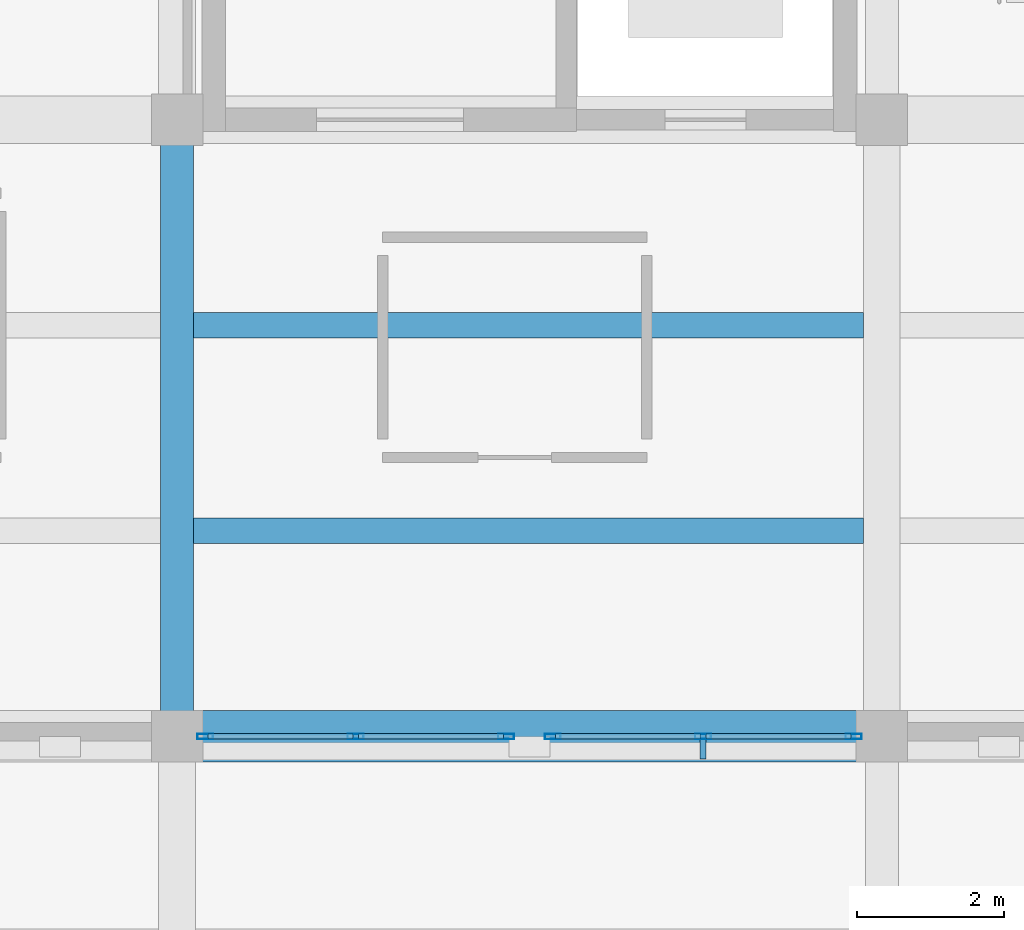
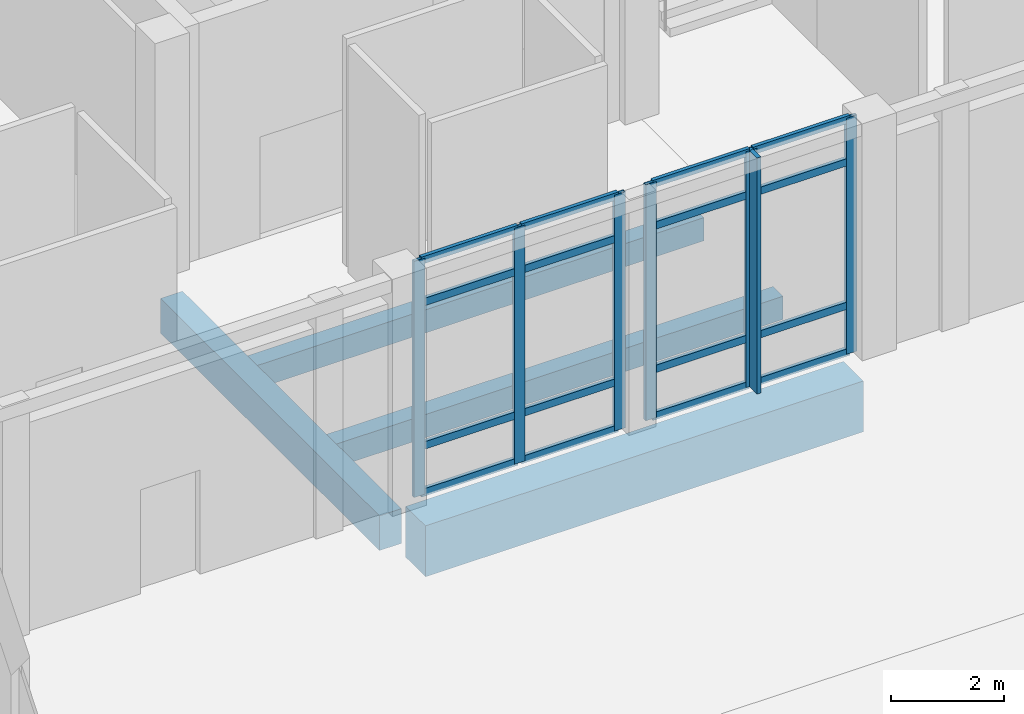
# One storey, part 16 of 71: 23 members, 4 beams, 2 elements without a shape of their own.
"""IFC4 building model written with IfcOpenShell, lengths in metres."""

from ifc_helpers import new_model, si_unit, direction, frame, origin, origin_2d, place, context, subcontext, project, spatial, rectangle, hollow_rectangle, extrude, material, layer, layer_set, material_profile, profile_set, type_object, element, aggregate, save


model = new_model("IFC4")

# Units and contexts
model_context = context("Model", 3, precision=1e-05, world=origin(), true_north=direction((0.0, 1.0)))
body_context = subcontext(model_context, "Body", "Model", "MODEL_VIEW")
ifc_project = project(units=[si_unit("LENGTHUNIT", "METRE"), si_unit("AREAUNIT", "SQUARE_METRE"), si_unit("VOLUMEUNIT", "CUBIC_METRE"), si_unit("PLANEANGLEUNIT", "RADIAN"), si_unit("MASSUNIT", "GRAM", prefix="KILO")], contexts=[model_context])

# Site, building, storey
site_placement = place(None, origin())
site = spatial("IfcSite", under=ifc_project, at=site_placement, CompositionType="ELEMENT")
building_placement = place(site_placement, origin())
building = spatial("IfcBuilding", under=site, at=building_placement, Name="Lornevale Opera House", CompositionType="ELEMENT")
storey_placement = place(building_placement, origin())
storey = spatial("IfcBuildingStorey", under=building, at=storey_placement, Name="L01", CompositionType="ELEMENT", Elevation=0.0)

# Beams
ifc_material_1 = material(Name="Concrete 35 MPa (CSA A23.1 N)", Category="concrete")
ifc_material_profile_1 = material_profile(ifc_material_1, rectangle(XDim=0.449951171875, YDim=0.75, at=origin_2d()), Name="RC450x750")
ifc_profile_set_1 = profile_set([ifc_material_profile_1], Name="Concrete 35 MPa (CSA A23.1 N)")
beam_type_1 = type_object("IfcBeamType", Name="Concrete Floor Beam 450x750", PredefinedType="USERDEFINED", material=ifc_profile_set_1)
beam_1_placement = place(storey_placement, frame((48.0, 17.125, -0.81494140625), z_axis=(0.0, 1.0, 0.0), x_axis=(-1.0, 0.0, 0.0)))
element("IfcBeam", 1, at=beam_1_placement, inside=storey, type_object=beam_type_1, Name="Concrete Floor Beam 450x750 1133", ObjectType="GIRDER", PredefinedType="USERDEFINED", context=body_context, shape_type="SweptSolid", body=[
    extrude(rectangle(XDim=0.449951171875, YDim=0.75, at=origin_2d()), origin(), (0.0, 0.0, 1.0), 7.75),
])
ifc_material_2 = material(Name="Concrete 40 MPa (CSA A23.1 C-1)", Category="concrete")
ifc_material_profile_2 = material_profile(ifc_material_2, rectangle(XDim=0.699951171875, YDim=1.10009765625, at=origin_2d()), Name="RC700x1100")
ifc_profile_set_2 = profile_set([ifc_material_profile_2], Name="Concrete 40 MPa (CSA A23.1 C-1)")
beam_type_2 = type_object("IfcBeamType", Name="Concrete Primary Girder 700x1100", PredefinedType="USERDEFINED", material=ifc_profile_set_2)
beam_2_placement = place(storey_placement, frame((48.324951171875, 16.800048828125, -0.989990234375), z_axis=(1.0, 0.0, 0.0), x_axis=(0.0, 1.0, 0.0)))
element("IfcBeam", 2, at=beam_2_placement, inside=storey, type_object=beam_type_2, Name="Concrete Primary Girder 700x1100 0877", ObjectType="GIRDER", PredefinedType="USERDEFINED", context=body_context, shape_type="SweptSolid", body=[
    extrude(rectangle(XDim=0.699951171875, YDim=1.10009765625, at=origin_2d()), origin(), (0.0, 0.0, 1.0), 8.949951171875),
])
ifc_material_profile_3 = material_profile(ifc_material_1, rectangle(XDim=0.35009765625, YDim=0.5, at=origin_2d()), Name="RC350x500")
ifc_profile_set_3 = profile_set([ifc_material_profile_3], Name="Concrete 35 MPa (CSA A23.1 N)")
beam_type_3 = type_object("IfcBeamType", Name="Concrete Secondary Rib 350x500", PredefinedType="JOIST", material=ifc_profile_set_3)
for number, where, z_axis, x_axis, name in (
    (3, (48.22509765625, 19.60009765625, -0.68994140625), (1.0, 0.0, 0.0), (0.0, 1.0, 0.0), "Concrete Secondary Rib 350x500 1415"),
    (4, (48.22509765625, 22.39990234375, -0.68994140625), (1.0, 0.0, 0.0), (0.0, 1.0, 0.0), "Concrete Secondary Rib 350x500 1416"),
):
    element("IfcBeam", number, at=place(storey_placement, frame(where, z_axis=z_axis, x_axis=x_axis)), inside=storey, type_object=beam_type_3, Name=name, PredefinedType="JOIST", context=body_context, shape_type="SweptSolid", body=[
        extrude(rectangle(XDim=0.35009765625, YDim=0.5, at=origin_2d()), origin(), (0.0, 0.0, 1.0), 9.125),
    ])

# Curtain wall, members
ifc_material_3 = material(Name="Anodized Oxide-Green Aluminium Framing", Category="aluminium")
ifc_layer = layer(ifc_material_3, 0.215087890625)
ifc_layer_set = layer_set([ifc_layer], Name="Anodized Oxide-Green Aluminium Framing")
curtain_wall_type = type_object("IfcCurtainWallType", Name="Grand Foyer Curtain Wall M2000", PredefinedType="NOTDEFINED", material=ifc_layer_set)
curtain_wall_1_placement = place(storey_placement, origin())
curtain_wall_1 = element("IfcCurtainWall", 5, at=curtain_wall_1_placement, inside=storey, type_object=curtain_wall_type, Name="Grand Foyer Curtain Wall M2000 CW-011", PredefinedType="NOTDEFINED")
ifc_material_profile_4 = material_profile(ifc_material_3, hollow_rectangle(XDim=0.074951171875, YDim=0.219970703125, WallThickness=0.0048828125, at=origin_2d()), Name="ALU75x220x5")
ifc_profile_set_4 = profile_set([ifc_material_profile_4], Name="Anodized Oxide-Green Aluminium Framing")
member_type_1 = type_object("IfcMemberType", Name="Curtain Wall Mullion 75x220", PredefinedType="MULLION", material=ifc_profile_set_4)
member_1_placement = place(storey_placement, frame((57.216552734375, 16.800048828125, 0.0), z_axis=(0.0, 0.0, 1.0), x_axis=(0.0, -1.0, 0.0)))
member_1 = element("IfcMember", 6, at=member_1_placement, type_object=member_type_1, Name="Curtain Wall Mullion 75x220 CW0171", PredefinedType="MULLION", context=body_context, shape_type="SweptSolid", body=[
    extrude(hollow_rectangle(XDim=0.074951171875, YDim=0.219970703125, WallThickness=0.0048828125, at=origin_2d()), origin(), (0.0, 0.0, 1.0), 5.10009765625),
])
member_2_placement = place(storey_placement, frame((55.1669921875, 16.800048828125, 0.0), z_axis=(0.0, 0.0, 1.0), x_axis=(0.0, -1.0, 0.0)))
member_2 = element("IfcMember", 7, at=member_2_placement, type_object=member_type_1, Name="Curtain Wall Mullion 75x220 CW0172", PredefinedType="MULLION", context=body_context, shape_type="SweptSolid", body=[
    extrude(hollow_rectangle(XDim=0.074951171875, YDim=0.219970703125, WallThickness=0.0048828125, at=origin_2d()), origin(), (0.0, 0.0, 1.0), 5.10009765625),
])
member_3_placement = place(storey_placement, frame((53.117431640625, 16.800048828125, 0.0), z_axis=(0.0, 0.0, 1.0), x_axis=(0.0, -1.0, 0.0)))
member_3 = element("IfcMember", 8, at=member_3_placement, type_object=member_type_1, Name="Curtain Wall Mullion 75x220 CW0173", PredefinedType="MULLION", context=body_context, shape_type="SweptSolid", body=[
    extrude(hollow_rectangle(XDim=0.074951171875, YDim=0.219970703125, WallThickness=0.0048828125, at=origin_2d()), origin(), (0.0, 0.0, 1.0), 5.10009765625),
])

curtain_wall_2_placement = place(storey_placement, origin())
curtain_wall_2 = element("IfcCurtainWall", 9, at=curtain_wall_2_placement, inside=storey, type_object=curtain_wall_type, Name="Grand Foyer Curtain Wall M2000 CW-012", PredefinedType="NOTDEFINED")
member_4_placement = place(storey_placement, frame((52.482421875, 16.800048828125, 0.0), z_axis=(0.0, 0.0, 1.0), x_axis=(0.0, -1.0, 0.0)))
member_4 = element("IfcMember", 10, at=member_4_placement, type_object=member_type_1, Name="Curtain Wall Mullion 75x220 CW0188", PredefinedType="MULLION", context=body_context, shape_type="SweptSolid", body=[
    extrude(hollow_rectangle(XDim=0.074951171875, YDim=0.219970703125, WallThickness=0.0048828125, at=origin_2d()), origin(), (0.0, 0.0, 1.0), 5.10009765625),
])
member_5_placement = place(storey_placement, frame((50.43310546875, 16.800048828125, 0.0), z_axis=(0.0, 0.0, 1.0), x_axis=(0.0, -1.0, 0.0)))
member_5 = element("IfcMember", 11, at=member_5_placement, type_object=member_type_1, Name="Curtain Wall Mullion 75x220 CW0189", PredefinedType="MULLION", context=body_context, shape_type="SweptSolid", body=[
    extrude(hollow_rectangle(XDim=0.074951171875, YDim=0.219970703125, WallThickness=0.0048828125, at=origin_2d()), origin(), (0.0, 0.0, 1.0), 5.10009765625),
])
member_6_placement = place(storey_placement, frame((48.383544921875, 16.800048828125, 0.0), z_axis=(0.0, 0.0, 1.0), x_axis=(0.0, -1.0, 0.0)))
member_6 = element("IfcMember", 12, at=member_6_placement, type_object=member_type_1, Name="Curtain Wall Mullion 75x220 CW0190", PredefinedType="MULLION", context=body_context, shape_type="SweptSolid", body=[
    extrude(hollow_rectangle(XDim=0.074951171875, YDim=0.219970703125, WallThickness=0.0048828125, at=origin_2d()), origin(), (0.0, 0.0, 1.0), 5.10009765625),
])

# Member
ifc_material_profile_5 = material_profile(ifc_material_3, hollow_rectangle(XDim=0.074951171875, YDim=0.159912109375, WallThickness=0.0048828125, at=origin_2d()), Name="ALU75x160x5")
ifc_profile_set_5 = profile_set([ifc_material_profile_5], Name="Anodized Oxide-Green Aluminium Framing")
member_type_2 = type_object("IfcMemberType", Name="Curtain Wall Transom 75x160", PredefinedType="USERDEFINED", material=ifc_profile_set_5)
member_7_placement = place(storey_placement, frame((57.178955078125, 16.800048828125, 0.03759765625), z_axis=(-1.0, 0.0, 0.0), x_axis=(0.0, -1.0, 0.0)))
member_7 = element("IfcMember", 13, at=member_7_placement, type_object=member_type_2, Name="Curtain Wall Transom 75x160 CW0174", ObjectType="TRANSOM", PredefinedType="USERDEFINED", context=body_context, shape_type="SweptSolid", body=[
    extrude(hollow_rectangle(XDim=0.074951171875, YDim=0.159912109375, WallThickness=0.0048828125, at=origin_2d()), origin(), (0.0, 0.0, 1.0), 1.974365234375),
])

member_8_placement = place(storey_placement, frame((57.178955078125, 16.800048828125, 1.050048828125), z_axis=(-1.0, 0.0, 0.0), x_axis=(0.0, -1.0, 0.0)))
member_8 = element("IfcMember", 14, at=member_8_placement, type_object=member_type_2, Name="Curtain Wall Transom 75x160 CW0175", ObjectType="TRANSOM", PredefinedType="USERDEFINED", context=body_context, shape_type="SweptSolid", body=[
    extrude(hollow_rectangle(XDim=0.074951171875, YDim=0.159912109375, WallThickness=0.0048828125, at=origin_2d()), origin(), (0.0, 0.0, 1.0), 1.974365234375),
])

member_9_placement = place(storey_placement, frame((57.178955078125, 16.800048828125, 4.14990234375), z_axis=(-1.0, 0.0, 0.0), x_axis=(0.0, -1.0, 0.0)))
member_9 = element("IfcMember", 15, at=member_9_placement, type_object=member_type_2, Name="Curtain Wall Transom 75x160 CW0176", ObjectType="TRANSOM", PredefinedType="USERDEFINED", context=body_context, shape_type="SweptSolid", body=[
    extrude(hollow_rectangle(XDim=0.074951171875, YDim=0.159912109375, WallThickness=0.0048828125, at=origin_2d()), origin(), (0.0, 0.0, 1.0), 1.974365234375),
])

member_10_placement = place(storey_placement, frame((57.178955078125, 16.800048828125, 5.0625), z_axis=(-1.0, 0.0, 0.0), x_axis=(0.0, -1.0, 0.0)))
member_10 = element("IfcMember", 16, at=member_10_placement, type_object=member_type_2, Name="Curtain Wall Transom 75x160 CW0177", ObjectType="TRANSOM", PredefinedType="USERDEFINED", context=body_context, shape_type="SweptSolid", body=[
    extrude(hollow_rectangle(XDim=0.074951171875, YDim=0.159912109375, WallThickness=0.0048828125, at=origin_2d()), origin(), (0.0, 0.0, 1.0), 1.974365234375),
])

member_11_placement = place(storey_placement, frame((55.12939453125, 16.800048828125, 0.03759765625), z_axis=(-1.0, 0.0, 0.0), x_axis=(0.0, -1.0, 0.0)))
member_11 = element("IfcMember", 17, at=member_11_placement, type_object=member_type_2, Name="Curtain Wall Transom 75x160 CW0181", ObjectType="TRANSOM", PredefinedType="USERDEFINED", context=body_context, shape_type="SweptSolid", body=[
    extrude(hollow_rectangle(XDim=0.074951171875, YDim=0.159912109375, WallThickness=0.0048828125, at=origin_2d()), origin(), (0.0, 0.0, 1.0), 1.974365234375),
])

member_12_placement = place(storey_placement, frame((55.12939453125, 16.800048828125, 1.050048828125), z_axis=(-1.0, 0.0, 0.0), x_axis=(0.0, -1.0, 0.0)))
member_12 = element("IfcMember", 18, at=member_12_placement, type_object=member_type_2, Name="Curtain Wall Transom 75x160 CW0182", ObjectType="TRANSOM", PredefinedType="USERDEFINED", context=body_context, shape_type="SweptSolid", body=[
    extrude(hollow_rectangle(XDim=0.074951171875, YDim=0.159912109375, WallThickness=0.0048828125, at=origin_2d()), origin(), (0.0, 0.0, 1.0), 1.974365234375),
])

member_13_placement = place(storey_placement, frame((55.12939453125, 16.800048828125, 4.14990234375), z_axis=(-1.0, 0.0, 0.0), x_axis=(0.0, -1.0, 0.0)))
member_13 = element("IfcMember", 19, at=member_13_placement, type_object=member_type_2, Name="Curtain Wall Transom 75x160 CW0183", ObjectType="TRANSOM", PredefinedType="USERDEFINED", context=body_context, shape_type="SweptSolid", body=[
    extrude(hollow_rectangle(XDim=0.074951171875, YDim=0.159912109375, WallThickness=0.0048828125, at=origin_2d()), origin(), (0.0, 0.0, 1.0), 1.974365234375),
])

member_14_placement = place(storey_placement, frame((55.12939453125, 16.800048828125, 5.0625), z_axis=(-1.0, 0.0, 0.0), x_axis=(0.0, -1.0, 0.0)))
member_14 = element("IfcMember", 20, at=member_14_placement, type_object=member_type_2, Name="Curtain Wall Transom 75x160 CW0184", ObjectType="TRANSOM", PredefinedType="USERDEFINED", context=body_context, shape_type="SweptSolid", body=[
    extrude(hollow_rectangle(XDim=0.074951171875, YDim=0.159912109375, WallThickness=0.0048828125, at=origin_2d()), origin(), (0.0, 0.0, 1.0), 1.974365234375),
])

member_15_placement = place(storey_placement, frame((52.445068359375, 16.800048828125, 0.03759765625), z_axis=(-1.0, 0.0, 0.0), x_axis=(0.0, -1.0, 0.0)))
member_15 = element("IfcMember", 21, at=member_15_placement, type_object=member_type_2, Name="Curtain Wall Transom 75x160 CW0191", ObjectType="TRANSOM", PredefinedType="USERDEFINED", context=body_context, shape_type="SweptSolid", body=[
    extrude(hollow_rectangle(XDim=0.074951171875, YDim=0.159912109375, WallThickness=0.0048828125, at=origin_2d()), origin(), (0.0, 0.0, 1.0), 1.974609375),
])

member_16_placement = place(storey_placement, frame((52.445068359375, 16.800048828125, 1.050048828125), z_axis=(-1.0, 0.0, 0.0), x_axis=(0.0, -1.0, 0.0)))
member_16 = element("IfcMember", 22, at=member_16_placement, type_object=member_type_2, Name="Curtain Wall Transom 75x160 CW0192", ObjectType="TRANSOM", PredefinedType="USERDEFINED", context=body_context, shape_type="SweptSolid", body=[
    extrude(hollow_rectangle(XDim=0.074951171875, YDim=0.159912109375, WallThickness=0.0048828125, at=origin_2d()), origin(), (0.0, 0.0, 1.0), 1.974609375),
])

member_17_placement = place(storey_placement, frame((52.445068359375, 16.800048828125, 4.14990234375), z_axis=(-1.0, 0.0, 0.0), x_axis=(0.0, -1.0, 0.0)))
member_17 = element("IfcMember", 23, at=member_17_placement, type_object=member_type_2, Name="Curtain Wall Transom 75x160 CW0193", ObjectType="TRANSOM", PredefinedType="USERDEFINED", context=body_context, shape_type="SweptSolid", body=[
    extrude(hollow_rectangle(XDim=0.074951171875, YDim=0.159912109375, WallThickness=0.0048828125, at=origin_2d()), origin(), (0.0, 0.0, 1.0), 1.974609375),
])

member_18_placement = place(storey_placement, frame((52.445068359375, 16.800048828125, 5.0625), z_axis=(-1.0, 0.0, 0.0), x_axis=(0.0, -1.0, 0.0)))
member_18 = element("IfcMember", 24, at=member_18_placement, type_object=member_type_2, Name="Curtain Wall Transom 75x160 CW0194", ObjectType="TRANSOM", PredefinedType="USERDEFINED", context=body_context, shape_type="SweptSolid", body=[
    extrude(hollow_rectangle(XDim=0.074951171875, YDim=0.159912109375, WallThickness=0.0048828125, at=origin_2d()), origin(), (0.0, 0.0, 1.0), 1.974609375),
])

member_19_placement = place(storey_placement, frame((50.3955078125, 16.800048828125, 0.03759765625), z_axis=(-1.0, 0.0, 0.0), x_axis=(0.0, -1.0, 0.0)))
member_19 = element("IfcMember", 25, at=member_19_placement, type_object=member_type_2, Name="Curtain Wall Transom 75x160 CW0198", ObjectType="TRANSOM", PredefinedType="USERDEFINED", context=body_context, shape_type="SweptSolid", body=[
    extrude(hollow_rectangle(XDim=0.074951171875, YDim=0.159912109375, WallThickness=0.0048828125, at=origin_2d()), origin(), (0.0, 0.0, 1.0), 1.974609375),
])

member_20_placement = place(storey_placement, frame((50.3955078125, 16.800048828125, 1.050048828125), z_axis=(-1.0, 0.0, 0.0), x_axis=(0.0, -1.0, 0.0)))
member_20 = element("IfcMember", 26, at=member_20_placement, type_object=member_type_2, Name="Curtain Wall Transom 75x160 CW0199", ObjectType="TRANSOM", PredefinedType="USERDEFINED", context=body_context, shape_type="SweptSolid", body=[
    extrude(hollow_rectangle(XDim=0.074951171875, YDim=0.159912109375, WallThickness=0.0048828125, at=origin_2d()), origin(), (0.0, 0.0, 1.0), 1.974609375),
])

member_21_placement = place(storey_placement, frame((50.3955078125, 16.800048828125, 4.14990234375), z_axis=(-1.0, 0.0, 0.0), x_axis=(0.0, -1.0, 0.0)))
member_21 = element("IfcMember", 27, at=member_21_placement, type_object=member_type_2, Name="Curtain Wall Transom 75x160 CW0200", ObjectType="TRANSOM", PredefinedType="USERDEFINED", context=body_context, shape_type="SweptSolid", body=[
    extrude(hollow_rectangle(XDim=0.074951171875, YDim=0.159912109375, WallThickness=0.0048828125, at=origin_2d()), origin(), (0.0, 0.0, 1.0), 1.974609375),
])

member_22_placement = place(storey_placement, frame((50.3955078125, 16.800048828125, 5.0625), z_axis=(-1.0, 0.0, 0.0), x_axis=(0.0, -1.0, 0.0)))
member_22 = element("IfcMember", 28, at=member_22_placement, type_object=member_type_2, Name="Curtain Wall Transom 75x160 CW0201", ObjectType="TRANSOM", PredefinedType="USERDEFINED", context=body_context, shape_type="SweptSolid", body=[
    extrude(hollow_rectangle(XDim=0.074951171875, YDim=0.159912109375, WallThickness=0.0048828125, at=origin_2d()), origin(), (0.0, 0.0, 1.0), 1.974609375),
])

aggregate(curtain_wall_2, [member_4, member_5, member_6, member_15, member_16, member_17, member_18, member_19, member_20, member_21, member_22])

ifc_material_4 = material(Name="Architectural Bronze Solar Louvre Alloy", Category="metal")
ifc_material_profile_6 = material_profile(ifc_material_4, rectangle(XDim=0.080078125, YDim=0.360107421875, at=origin_2d()), Name="FIN80x360")
ifc_profile_set_6 = profile_set([ifc_material_profile_6], Name="Architectural Bronze Solar Louvre Alloy")
member_type_3 = type_object("IfcMemberType", Name="Solar Shading Fin 80x360", PredefinedType="USERDEFINED", material=ifc_profile_set_6)
member_23_placement = place(storey_placement, frame((55.1669921875, 16.674072265625, 0.0), z_axis=(0.0, 0.0, 1.0), x_axis=(-1.0, 0.0, 0.0)))
member_23 = element("IfcMember", 29, at=member_23_placement, type_object=member_type_3, Name="Solar Shading Fin 80x360 FIN0006", ObjectType="SOLAR FIN", PredefinedType="USERDEFINED", context=body_context, shape_type="SweptSolid", body=[
    extrude(rectangle(XDim=0.080078125, YDim=0.360107421875, at=origin_2d()), origin(), (0.0, 0.0, 1.0), 5.10009765625),
])

aggregate(curtain_wall_1, [member_1, member_2, member_3, member_7, member_8, member_9, member_10, member_11, member_12, member_13, member_14, member_23])

save(model, "model.ifc")
